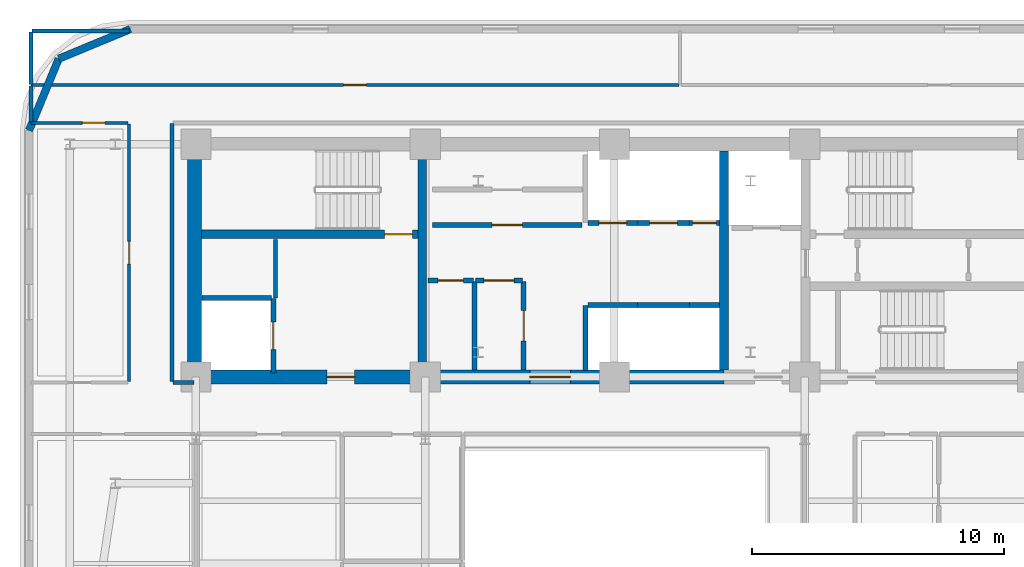
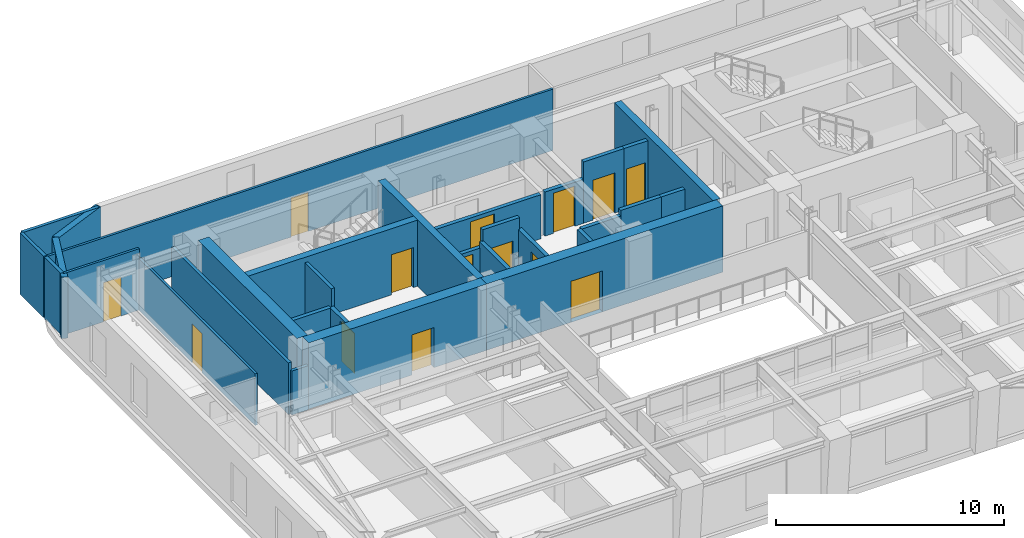
# One storey, part 7 of 12: 31 walls, 14 doors, 14 openings.
"""IFC4 building model written with IfcOpenShell, lengths in metres."""

from ifc_helpers import new_model, si_unit, direction, frame, frame_2d, origin, place, context, subcontext, project, spatial, rectangle, extrude, material, layer, layer_set, type_object, element, fill, save


model = new_model("IFC4")

# Units and contexts
model_context = context("Model", 3, precision=1e-05, world=origin(), true_north=direction((0.0, 1.0)))
body_context = subcontext(model_context, "Body", "Model", "MODEL_VIEW")
ifc_project = project(units=[si_unit("LENGTHUNIT", "METRE"), si_unit("AREAUNIT", "SQUARE_METRE"), si_unit("VOLUMEUNIT", "CUBIC_METRE"), si_unit("PLANEANGLEUNIT", "RADIAN"), si_unit("MASSUNIT", "GRAM", prefix="KILO")], contexts=[model_context])

# Site, building, storey
site_placement = place(None, origin())
site = spatial("IfcSite", under=ifc_project, at=site_placement, CompositionType="ELEMENT")
building_placement = place(site_placement, origin())
building = spatial("IfcBuilding", under=site, at=building_placement, Name="Zarnavel Station Tower", CompositionType="ELEMENT")
storey_placement = place(building_placement, frame((0.0, 0.0, 173.199951171875)))
storey = spatial("IfcBuildingStorey", under=building, at=storey_placement, Name="L47", CompositionType="ELEMENT", Elevation=173.199951171875)

# Walls
ifc_material_1 = material(Name="Concrete C50/60", Category="concrete")
ifc_layer_1 = layer(ifc_material_1, 0.35009765625)
ifc_layer_set_1 = layer_set([ifc_layer_1], Name="CW_350")
wall_type_1 = type_object("IfcWallType", Name="CW_350", PredefinedType="SHEAR", material=ifc_layer_set_1)
for number, where, z_axis, x_axis, name in (
    (1, (21.179931640625, 28.094970703125, 0.0), (0.0, 0.0, 1.0), (0.0, 1.0, 0.0), "L47 Rear Core Shear Wall DIV-W"),
    (2, (33.14990234375, 28.094970703125, 0.0), (0.0, 0.0, 1.0), (0.0, 1.0, 0.0), "L47 Rear Core Shear Wall DIV-E"),
):
    element("IfcWall", number, at=place(storey_placement, frame(where, z_axis=z_axis, x_axis=x_axis)), inside=storey, type_object=wall_type_1, Name=name, PredefinedType="SHEAR", context=body_context, shape_type="SweptSolid", body=[
        extrude(rectangle(XDim=8.679931640625, YDim=0.35009765625, at=frame_2d((4.33984375, 0.0))), origin(), (0.0, 0.0, 1.0), 3.550048828125),
    ])

# Wall, opening, door
wall_1_placement = place(storey_placement, frame((21.0048828125, 33.47998046875, 0.0), z_axis=(0.0, 0.0, 1.0), x_axis=(-1.0, 0.0, 0.0)))
wall_1 = element("IfcWall", 3, at=wall_1_placement, inside=storey, type_object=wall_type_1, Name="L47 Rear Core Shear Wall DIV-H1", PredefinedType="SHEAR", context=body_context, shape_type="SweptSolid", body=[
    extrude(rectangle(XDim=8.579833984375, YDim=0.35009765625, at=frame_2d((4.2900390625, 0.0))), origin(), (0.0, 0.0, 1.0), 3.550048828125),
])
opening_1_placement = place(wall_1_placement, frame((0.219970703125, 0.0, 0.0)))
opening_1 = element("IfcOpeningElement", 4, at=opening_1_placement, cuts=wall_1, Name="Opening FD01", PredefinedType="OPENING", context=body_context, shape_type="SweptSolid", body=[
    extrude(rectangle(XDim=1.10009765625, YDim=2.14990234375, at=frame_2d((0.550048828125, 1.074951171875))), frame((0.0, 0.18505859375, 0.0), z_axis=(0.0, -1.0, 0.0), x_axis=(1.0, 0.0, 0.0)), (0.0, 0.0, 1.0), 0.3701171875),
])
ifc_material_2 = material(Name="Painted Galvanised Steel and Hardwood Leaf", Category="steel")
door_type_1 = type_object("IfcDoorType", Name="ID_STAIR_1100", OperationType="NOTDEFINED", PredefinedType="DOOR", material=ifc_material_2)
door_1_placement = place(opening_1_placement, origin())
door_1 = element("IfcDoor", 5, at=door_1_placement, inside=storey, type_object=door_type_1, Name="L47 Stair ST1 Lobby Fire Door", OperationType="SINGLE_SWING_LEFT", OverallHeight=2.14990234375, OverallWidth=1.10009765625, PredefinedType="DOOR", context=body_context, shape_type="SweptSolid", body=[
    extrude(rectangle(XDim=1.10009765625, YDim=2.14990234375, at=frame_2d((0.550048828125, 1.074951171875))), frame((0.0, 0.02490234375, 0.0), z_axis=(0.0, -1.0, 0.0), x_axis=(1.0, 0.0, 0.0)), (0.0, 0.0, 1.0), 0.050048828125),
])
fill(opening_1, door_1)

ifc_material_3 = material(Name="Concrete C50/60", Category="concrete")
ifc_layer_2 = layer(ifc_material_3, 0.550048828125)
ifc_layer_set_2 = layer_set([ifc_layer_2], Name="CW_550")
wall_type_2 = type_object("IfcWallType", Name="CW_550", PredefinedType="SHEAR", material=ifc_layer_set_2)
wall_2_placement = place(storey_placement, frame((21.179931640625, 27.820068359375, 0.0), z_axis=(0.0, 0.0, 1.0), x_axis=(-1.0, 0.0, 0.0)))
wall_2 = element("IfcWall", 6, at=wall_2_placement, inside=storey, type_object=wall_type_2, Name="L47 Rear Core Shear Wall S-W", PredefinedType="SHEAR", context=body_context, shape_type="SweptSolid", body=[
    extrude(rectangle(XDim=9.030029296875, YDim=0.550048828125, at=frame_2d((4.51513671875, 0.0))), origin(), (0.0, 0.0, 1.0), 3.550048828125),
])
opening_2_placement = place(wall_2_placement, frame((2.679931640625, 0.0, 0.0)))
opening_2 = element("IfcOpeningElement", 7, at=opening_2_placement, cuts=wall_2, Name="Opening FD01", PredefinedType="OPENING", context=body_context, shape_type="SweptSolid", body=[
    extrude(rectangle(XDim=1.10009765625, YDim=2.14990234375, at=frame_2d((0.550048828125, 1.074951171875))), frame((0.0, 0.284912109375, 0.0), z_axis=(0.0, -1.0, 0.0), x_axis=(1.0, 0.0, 0.0)), (0.0, 0.0, 1.0), 0.570068359375),
])
door_2_placement = place(opening_2_placement, origin())
door_2 = element("IfcDoor", 8, at=door_2_placement, inside=storey, type_object=door_type_1, Name="L47 West Firefighting Lobby Door", OperationType="SINGLE_SWING_RIGHT", OverallHeight=2.14990234375, OverallWidth=1.10009765625, PredefinedType="DOOR", context=body_context, shape_type="SweptSolid", body=[
    extrude(rectangle(XDim=1.10009765625, YDim=2.14990234375, at=frame_2d((0.550048828125, 1.074951171875))), frame((0.0, 0.02490234375, 0.0), z_axis=(0.0, -1.0, 0.0), x_axis=(1.0, 0.0, 0.0)), (0.0, 0.0, 1.0), 0.050048828125),
])
fill(opening_2, door_2)

wall_3_placement = place(storey_placement, frame((33.14990234375, 27.820068359375, 0.0), z_axis=(0.0, 0.0, 1.0), x_axis=(-1.0, 0.0, 0.0)))
wall_3 = element("IfcWall", 9, at=wall_3_placement, inside=storey, type_object=wall_type_2, Name="L47 Rear Core Shear Wall S-M", PredefinedType="SHEAR", context=body_context, shape_type="SweptSolid", body=[
    extrude(rectangle(XDim=11.969970703125, YDim=0.550048828125, at=frame_2d((5.98486328125, 0.0))), origin(), (0.0, 0.0, 1.0), 3.550048828125),
])
opening_3_placement = place(wall_3_placement, frame((6.10009765625, 0.0, 0.0)))
opening_3 = element("IfcOpeningElement", 10, at=opening_3_placement, cuts=wall_3, Name="Opening ID03", PredefinedType="OPENING", context=body_context, shape_type="SweptSolid", body=[
    extrude(rectangle(XDim=1.60009765625, YDim=2.199951171875, at=frame_2d((0.800048828125, 1.10009765625))), frame((0.0, 0.284912109375, 0.0), z_axis=(0.0, -1.0, 0.0), x_axis=(1.0, 0.0, 0.0)), (0.0, 0.0, 1.0), 0.570068359375),
])
ifc_material_4 = material(Name="Painted Galvanised Steel and Hardwood Leaf", Category="steel")
door_type_2 = type_object("IfcDoorType", Name="ID_PUBLIC_1600", OperationType="DOUBLE_DOOR_SINGLE_SWING", PredefinedType="DOOR", material=ifc_material_4)
door_3_placement = place(opening_3_placement, origin())
door_3 = element("IfcDoor", 11, at=door_3_placement, inside=storey, type_object=door_type_2, Name="L47 Passenger Lift Lobby Double Door", OperationType="SINGLE_SWING_LEFT", OverallHeight=2.199951171875, OverallWidth=1.60009765625, PredefinedType="DOOR", context=body_context, shape_type="SweptSolid", body=[
    extrude(rectangle(XDim=1.60009765625, YDim=2.199951171875, at=frame_2d((0.800048828125, 1.10009765625))), frame((0.0, 0.02490234375, 0.0), z_axis=(0.0, -1.0, 0.0), x_axis=(1.0, 0.0, 0.0)), (0.0, 0.0, 1.0), 0.050048828125),
])
fill(opening_3, door_3)

# Walls
wall_4_placement = place(storey_placement, frame((12.14990234375, 28.094970703125, 0.0), z_axis=(0.0, 0.0, 1.0), x_axis=(0.0, 1.0, 0.0)))
element("IfcWall", 12, at=wall_4_placement, inside=storey, type_object=wall_type_2, Name="L47 Rear Core Shear Wall W", PredefinedType="SHEAR", context=body_context, shape_type="SweptSolid", body=[
    extrude(rectangle(XDim=8.679931640625, YDim=0.550048828125, at=frame_2d((4.33984375, 0.0))), origin(), (0.0, 0.0, 1.0), 3.550048828125),
])
ifc_material_5 = material(Name="Precast concrete C45/55 (Dark Basalt Finish)", Category="masonry")
ifc_layer_3 = layer(ifc_material_5, 0.300048828125)
ifc_layer_set_3 = layer_set([ifc_layer_3], Name="EW_BASALT_300")
wall_type_3 = type_object("IfcWallType", Name="EW_BASALT_300", PredefinedType="SOLIDWALL", material=ifc_layer_set_3)
wall_5_placement = place(storey_placement, frame((6.75732421875, 40.442626953125, 0.0), z_axis=(0.0, 0.0, 1.0), x_axis=(0.923882414032, 0.382676475685, 0.0)))
element("IfcWall", 13, at=wall_5_placement, inside=storey, type_object=wall_type_3, Name="L47 Exterior Basalt Masonry Frame Wall 07", PredefinedType="SOLIDWALL", context=body_context, shape_type="SweptSolid", body=[
    extrude(rectangle(XDim=3.076904296875, YDim=0.300048828125, at=frame_2d((1.53857421875, 0.0))), origin(), (0.0, 0.0, 1.0), 3.2900390625),
])
wall_6_placement = place(storey_placement, frame((5.580078125, 37.60009765625, 0.0), z_axis=(0.0, 0.0, 1.0), x_axis=(0.382636798336, 0.92389884758, 0.0)))
element("IfcWall", 14, at=wall_6_placement, inside=storey, type_object=wall_type_3, Name="L47 Exterior Basalt Masonry Frame Wall 08", PredefinedType="SOLIDWALL", context=body_context, shape_type="SweptSolid", body=[
    extrude(rectangle(XDim=3.07666015625, YDim=0.300048828125, at=frame_2d((1.538330078125, 0.0))), origin(), (0.0, 0.0, 1.0), 3.2900390625),
])
ifc_material_6 = material(Name="Gypsum Twin-Stud Acoustic Fire Partition", Category="concrete")
ifc_layer_4 = layer(ifc_material_6, 0.159912109375)
ifc_layer_set_4 = layer_set([ifc_layer_4], Name="PT_DEMISE_160")
wall_type_4 = type_object("IfcWallType", Name="PT_DEMISE_160", PredefinedType="PARTITIONING", material=ifc_layer_set_4)
wall_7_placement = place(storey_placement, frame((15.35009765625, 30.9599609375, 0.0), z_axis=(0.0, 0.0, 1.0), x_axis=(0.0, 1.0, 0.0)))
element("IfcWall", 15, at=wall_7_placement, inside=storey, type_object=wall_type_4, Name="L47 Enclosure Wall FFL1", PredefinedType="PARTITIONING", context=body_context, shape_type="SweptSolid", body=[
    extrude(rectangle(XDim=2.31005859375, YDim=0.159912109375, at=frame_2d((1.155029296875, 0.0))), origin(), (0.0, 0.0, 1.0), 3.2900390625),
])
wall_8_placement = place(storey_placement, frame((11.280029296875, 27.60009765625, 0.0), z_axis=(0.0, 0.0, 1.0), x_axis=(1.0, 0.0, 0.0)))
element("IfcWall", 16, at=wall_8_placement, inside=storey, type_object=wall_type_4, Name="L47 Enclosure Wall COR-S", PredefinedType="PARTITIONING", context=body_context, shape_type="SweptSolid", body=[
    extrude(rectangle(XDim=0.840087890625, YDim=0.159912109375, at=frame_2d((0.419921875, 0.0))), origin(), (0.0, 0.0, 1.0), 2.360107421875),
])
wall_9_placement = place(storey_placement, frame((11.25, 27.6298828125, 0.0), z_axis=(0.0, 0.0, 1.0), x_axis=(0.0, 1.0, 0.0)))
element("IfcWall", 17, at=wall_9_placement, inside=storey, type_object=wall_type_4, Name="L47 Enclosure Wall COR-W", PredefinedType="PARTITIONING", context=body_context, shape_type="SweptSolid", body=[
    extrude(rectangle(XDim=10.240234375, YDim=0.159912109375, at=frame_2d((5.1201171875, 0.0))), origin(), (0.0, 0.0, 1.0), 2.77001953125),
])
wall_10_placement = place(storey_placement, frame((5.659912109375, 37.929931640625, 0.0), z_axis=(0.0, 0.0, 1.0), x_axis=(0.0, 1.0, 0.0)))
element("IfcWall", 18, at=wall_10_placement, inside=storey, type_object=wall_type_4, Name="L47 Enclosure Wall COR-N", PredefinedType="PARTITIONING", context=body_context, shape_type="SweptSolid", body=[
    extrude(rectangle(XDim=1.440185546875, YDim=0.159912109375, at=frame_2d((0.72021484375, 0.0))), origin(), (0.0, 0.0, 1.0), 3.2900390625),
])
wall_11_placement = place(storey_placement, frame((5.68994140625, 41.5400390625, 0.0), z_axis=(0.0, 0.0, 1.0), x_axis=(1.0, 0.0, 0.0)))
element("IfcWall", 19, at=wall_11_placement, inside=storey, type_object=wall_type_4, Name="L47 Enclosure Wall NGYM", PredefinedType="PARTITIONING", context=body_context, shape_type="SweptSolid", body=[
    extrude(rectangle(XDim=3.880126953125, YDim=0.159912109375, at=frame_2d((1.93994140625, 0.0))), origin(), (0.0, 0.0, 1.0), 3.2900390625),
])
wall_12_placement = place(storey_placement, frame((5.659912109375, 39.429931640625, 0.0), z_axis=(0.0, 0.0, 1.0), x_axis=(0.0, 1.0, 0.0)))
element("IfcWall", 20, at=wall_12_placement, inside=storey, type_object=wall_type_4, Name="L47 Enclosure Wall NGYM", PredefinedType="PARTITIONING", context=body_context, shape_type="SweptSolid", body=[
    extrude(rectangle(XDim=2.080078125, YDim=0.159912109375, at=frame_2d((1.0400390625, 0.0))), origin(), (0.0, 0.0, 1.0), 3.2900390625),
])

# Wall, opening, door
ifc_material_7 = material(Name="Gypsum Metal-Stud Interior Partition", Category="concrete")
ifc_layer_5 = layer(ifc_material_7, 0.1201171875)
ifc_layer_set_5 = layer_set([ifc_layer_5], Name="PT_ROOM_120")
wall_type_5 = type_object("IfcWallType", Name="PT_ROOM_120", PredefinedType="PARTITIONING", material=ifc_layer_set_5)
wall_13_placement = place(storey_placement, frame((9.550048828125, 27.639892578125, 0.0), z_axis=(0.0, 0.0, 1.0), x_axis=(0.0, 1.0, 0.0)))
wall_13 = element("IfcWall", 21, at=wall_13_placement, inside=storey, type_object=wall_type_5, Name="L47 Partition COR-W-FNW", PredefinedType="PARTITIONING", context=body_context, shape_type="SweptSolid", body=[
    extrude(rectangle(XDim=10.22021484375, YDim=0.1201171875, at=frame_2d((5.110107421875, 0.0))), origin(), (0.0, 0.0, 1.0), 2.77001953125),
])
opening_4_placement = place(wall_13_placement, frame((4.659912109375, 0.0, 0.0)))
opening_4 = element("IfcOpeningElement", 22, at=opening_4_placement, cuts=wall_13, Name="Opening ID01", PredefinedType="OPENING", context=body_context, shape_type="SweptSolid", body=[
    extrude(rectangle(XDim=0.89990234375, YDim=2.10009765625, at=frame_2d((0.449951171875, 1.050048828125))), frame((0.0, 0.070068359375, 0.0), z_axis=(0.0, -1.0, 0.0), x_axis=(1.0, 0.0, 0.0)), (0.0, 0.0, 1.0), 0.14013671875),
])
ifc_material_8 = material(Name="Painted Galvanised Steel and Hardwood Leaf", Category="steel")
door_type_3 = type_object("IfcDoorType", Name="ID_ROOM_900", OperationType="NOTDEFINED", PredefinedType="DOOR", material=ifc_material_8)
door_4_placement = place(opening_4_placement, origin())
door_4 = element("IfcDoor", 23, at=door_4_placement, inside=storey, type_object=door_type_3, Name="L47 Door COR-W-FNW", OperationType="SINGLE_SWING_LEFT", OverallHeight=2.10009765625, OverallWidth=0.89990234375, PredefinedType="DOOR", context=body_context, shape_type="SweptSolid", body=[
    extrude(rectangle(XDim=0.89990234375, YDim=2.10009765625, at=frame_2d((0.449951171875, 1.050048828125))), frame((0.0, 0.02490234375, 0.0), z_axis=(0.0, -1.0, 0.0), x_axis=(1.0, 0.0, 0.0)), (0.0, 0.0, 1.0), 0.050048828125),
])
fill(opening_4, door_4)

wall_14_placement = place(storey_placement, frame((5.659912109375, 37.89990234375, 0.0), z_axis=(0.0, 0.0, 1.0), x_axis=(1.0, 0.0, 0.0)))
wall_14 = element("IfcWall", 24, at=wall_14_placement, inside=storey, type_object=wall_type_5, Name="L47 Partition COR-N-FNW", PredefinedType="PARTITIONING", context=body_context, shape_type="SweptSolid", body=[
    extrude(rectangle(XDim=3.85009765625, YDim=0.1201171875, at=frame_2d((1.925048828125, 0.0))), origin(), (0.0, 0.0, 1.0), 3.2900390625),
])
opening_5_placement = place(wall_14_placement, frame((2.03125, 0.0, 0.0)))
opening_5 = element("IfcOpeningElement", 25, at=opening_5_placement, cuts=wall_14, Name="Opening ID01", PredefinedType="OPENING", context=body_context, shape_type="SweptSolid", body=[
    extrude(rectangle(XDim=0.89990234375, YDim=2.10009765625, at=frame_2d((0.449951171875, 1.050048828125))), frame((0.0, 0.070068359375, 0.0), z_axis=(0.0, -1.0, 0.0), x_axis=(1.0, 0.0, 0.0)), (0.0, 0.0, 1.0), 0.14013671875),
])
door_5_placement = place(opening_5_placement, origin())
door_5 = element("IfcDoor", 26, at=door_5_placement, inside=storey, type_object=door_type_3, Name="L47 Door COR-N-FNW", OperationType="SINGLE_SWING_LEFT", OverallHeight=2.10009765625, OverallWidth=0.89990234375, PredefinedType="DOOR", context=body_context, shape_type="SweptSolid", body=[
    extrude(rectangle(XDim=0.89990234375, YDim=2.10009765625, at=frame_2d((0.449951171875, 1.050048828125))), frame((0.0, 0.02490234375, 0.0), z_axis=(0.0, -1.0, 0.0), x_axis=(1.0, 0.0, 0.0)), (0.0, 0.0, 1.0), 0.050048828125),
])
fill(opening_5, door_5)

wall_15_placement = place(storey_placement, frame((5.659912109375, 39.39990234375, 0.0), z_axis=(0.0, 0.0, 1.0), x_axis=(1.0, 0.0, 0.0)))
wall_15 = element("IfcWall", 27, at=wall_15_placement, inside=storey, type_object=wall_type_5, Name="L47 Partition COR-N-NGYM", PredefinedType="PARTITIONING", context=body_context, shape_type="SweptSolid", body=[
    extrude(rectangle(XDim=25.7001953125, YDim=0.1201171875, at=frame_2d((12.85009765625, 0.0))), origin(), (0.0, 0.0, 1.0), 3.2900390625),
])
opening_6_placement = place(wall_15_placement, frame((12.39990234375, 0.0, 0.0)))
opening_6 = element("IfcOpeningElement", 28, at=opening_6_placement, cuts=wall_15, Name="Opening ID01", PredefinedType="OPENING", context=body_context, shape_type="SweptSolid", body=[
    extrude(rectangle(XDim=0.89990234375, YDim=2.10009765625, at=frame_2d((0.449951171875, 1.050048828125))), frame((0.0, 0.070068359375, 0.0), z_axis=(0.0, -1.0, 0.0), x_axis=(1.0, 0.0, 0.0)), (0.0, 0.0, 1.0), 0.14013671875),
])
door_6_placement = place(opening_6_placement, origin())
door_6 = element("IfcDoor", 29, at=door_6_placement, inside=storey, type_object=door_type_3, Name="L47 Door COR-N-NGYM", OperationType="SINGLE_SWING_LEFT", OverallHeight=2.10009765625, OverallWidth=0.89990234375, PredefinedType="DOOR", context=body_context, shape_type="SweptSolid", body=[
    extrude(rectangle(XDim=0.89990234375, YDim=2.10009765625, at=frame_2d((0.449951171875, 1.050048828125))), frame((0.0, 0.02490234375, 0.0), z_axis=(0.0, -1.0, 0.0), x_axis=(1.0, 0.0, 0.0)), (0.0, 0.0, 1.0), 0.050048828125),
])
fill(opening_6, door_6)

ifc_material_9 = material(Name="Precast concrete C45/55 (Fire Shaft Blockwork)", Category="masonry")
ifc_layer_6 = layer(ifc_material_9, 0.199951171875)
ifc_layer_set_6 = layer_set([ifc_layer_6], Name="PT_SHAFT_200")
wall_type_6 = type_object("IfcWallType", Name="PT_SHAFT_200", PredefinedType="PARTITIONING", material=ifc_layer_set_6)
wall_16_placement = place(storey_placement, frame((15.27001953125, 27.969970703125, 0.0), z_axis=(0.0, 0.0, 1.0), x_axis=(0.0, 1.0, 0.0)))
wall_16 = element("IfcWall", 30, at=wall_16_placement, inside=storey, type_object=wall_type_6, Name="L47 Lift FFL-01 Shaft Front Wall", PredefinedType="PARTITIONING", context=body_context, shape_type="SweptSolid", body=[
    extrude(rectangle(XDim=2.9599609375, YDim=0.199951171875, at=frame_2d((1.47998046875, 0.0))), origin(), (0.0, 0.0, 1.0), 2.360107421875),
])
opening_7_placement = place(wall_16_placement, frame((0.929931640625, 0.0, 0.0)))
opening_7 = element("IfcOpeningElement", 31, at=opening_7_placement, cuts=wall_16, Name="Opening LD01", PredefinedType="OPENING", context=body_context, shape_type="SweptSolid", body=[
    extrude(rectangle(XDim=1.10009765625, YDim=2.14990234375, at=frame_2d((0.550048828125, 1.074951171875))), frame((0.0, 0.10986328125, 0.0), z_axis=(0.0, -1.0, 0.0), x_axis=(1.0, 0.0, 0.0)), (0.0, 0.0, 1.0), 0.219970703125),
])
ifc_material_10 = material(Name="Painted Galvanised Steel and Hardwood Leaf", Category="steel")
door_type_4 = type_object("IfcDoorType", Name="LD_FF_1100", OperationType="DOUBLE_DOOR_SLIDING", PredefinedType="DOOR", material=ifc_material_10)
door_7_placement = place(opening_7_placement, origin())
door_7 = element("IfcDoor", 32, at=door_7_placement, inside=storey, type_object=door_type_4, Name="L47 Lift FFL-01 Sliding Landing Door", OperationType="DOUBLE_DOOR_SLIDING", OverallHeight=2.14990234375, OverallWidth=1.10009765625, PredefinedType="DOOR", context=body_context, shape_type="SweptSolid", body=[
    extrude(rectangle(XDim=1.10009765625, YDim=2.14990234375, at=frame_2d((0.550048828125, 1.074951171875))), frame((0.0, 0.02490234375, 0.0), z_axis=(0.0, -1.0, 0.0), x_axis=(1.0, 0.0, 0.0)), (0.0, 0.0, 1.0), 0.050048828125),
])
fill(opening_7, door_7)

# Walls
wall_17_placement = place(storey_placement, frame((12.449951171875, 30.949951171875, 0.0), z_axis=(0.0, 0.0, 1.0), x_axis=(1.0, 0.0, 0.0)))
element("IfcWall", 33, at=wall_17_placement, inside=storey, type_object=wall_type_6, Name="L47 Lift FFL-01 North Shaft Wall", PredefinedType="PARTITIONING", context=body_context, shape_type="SweptSolid", body=[
    extrude(rectangle(XDim=2.75, YDim=0.199951171875, at=frame_2d((1.375, 0.0))), origin(), (0.0, 0.0, 1.0), 2.360107421875),
])
wall_18_placement = place(storey_placement, frame((27.75, 30.669921875, 0.0), z_axis=(0.0, 0.0, 1.0), x_axis=(1.0, 0.0, 0.0)))
element("IfcWall", 34, at=wall_18_placement, inside=storey, type_object=wall_type_6, Name="L47 Lift PL-H1 Shaft Front Wall", PredefinedType="PARTITIONING", context=body_context, shape_type="SweptSolid", body=[
    extrude(rectangle(XDim=1.97509765625, YDim=0.199951171875, at=frame_2d((0.987548828125, 0.0))), origin(), (0.0, 0.0, 1.0), 2.360107421875),
])
wall_19_placement = place(storey_placement, frame((27.64990234375, 28.070068359375, 0.0), z_axis=(0.0, 0.0, 1.0), x_axis=(0.0, 1.0, 0.0)))
element("IfcWall", 35, at=wall_19_placement, inside=storey, type_object=wall_type_6, Name="L47 High-Rise Lift Bank West Shaft Wall", PredefinedType="PARTITIONING", context=body_context, shape_type="SweptSolid", body=[
    extrude(rectangle(XDim=2.579833984375, YDim=0.199951171875, at=frame_2d((1.2900390625, 0.0))), origin(), (0.0, 0.0, 1.0), 2.360107421875),
])
wall_20_placement = place(storey_placement, frame((29.72509765625, 30.669921875, 0.0), z_axis=(0.0, 0.0, 1.0), x_axis=(1.0, 0.0, 0.0)))
element("IfcWall", 36, at=wall_20_placement, inside=storey, type_object=wall_type_6, Name="L47 Lift PL-H2 Shaft Front Wall", PredefinedType="PARTITIONING", context=body_context, shape_type="SweptSolid", body=[
    extrude(rectangle(XDim=2.0498046875, YDim=0.199951171875, at=frame_2d((1.02490234375, 0.0))), origin(), (0.0, 0.0, 1.0), 2.670166015625),
])
wall_21_placement = place(storey_placement, frame((31.77490234375, 30.669921875, 0.0), z_axis=(0.0, 0.0, 1.0), x_axis=(1.0, 0.0, 0.0)))
element("IfcWall", 37, at=wall_21_placement, inside=storey, type_object=wall_type_6, Name="L47 Lift PL-H3 Shaft Front Wall", PredefinedType="PARTITIONING", context=body_context, shape_type="SweptSolid", body=[
    extrude(rectangle(XDim=1.2001953125, YDim=0.199951171875, at=frame_2d((0.60009765625, 0.0))), origin(), (0.0, 0.0, 1.0), 2.670166015625),
])

# Wall, opening, door
wall_22_placement = place(storey_placement, frame((27.75, 33.929931640625, 0.0), z_axis=(0.0, 0.0, 1.0), x_axis=(1.0, 0.0, 0.0)))
wall_22 = element("IfcWall", 38, at=wall_22_placement, inside=storey, type_object=wall_type_6, Name="L47 Lift PL-M1 Shaft Front Wall", PredefinedType="PARTITIONING", context=body_context, shape_type="SweptSolid", body=[
    extrude(rectangle(XDim=1.97509765625, YDim=0.199951171875, at=frame_2d((0.987548828125, 0.0))), origin(), (0.0, 0.0, 1.0), 2.360107421875),
])
opening_8_placement = place(wall_22_placement, frame((0.4375, 0.0, 0.0)))
opening_8 = element("IfcOpeningElement", 39, at=opening_8_placement, cuts=wall_22, Name="Opening LD02", PredefinedType="OPENING", context=body_context, shape_type="SweptSolid", body=[
    extrude(rectangle(XDim=1.10009765625, YDim=2.14990234375, at=frame_2d((0.550048828125, 1.074951171875))), frame((0.0, 0.10986328125, 0.0), z_axis=(0.0, -1.0, 0.0), x_axis=(1.0, 0.0, 0.0)), (0.0, 0.0, 1.0), 0.219970703125),
])
ifc_material_11 = material(Name="Painted Galvanised Steel and Hardwood Leaf", Category="steel")
door_type_5 = type_object("IfcDoorType", Name="LD_PAX_1100", OperationType="DOUBLE_DOOR_SLIDING", PredefinedType="DOOR", material=ifc_material_11)
door_8_placement = place(opening_8_placement, origin())
door_8 = element("IfcDoor", 40, at=door_8_placement, inside=storey, type_object=door_type_5, Name="L47 Lift PL-M1 Sliding Landing Door", OperationType="DOUBLE_DOOR_SLIDING", OverallHeight=2.14990234375, OverallWidth=1.10009765625, PredefinedType="DOOR", context=body_context, shape_type="SweptSolid", body=[
    extrude(rectangle(XDim=1.10009765625, YDim=2.14990234375, at=frame_2d((0.550048828125, 1.074951171875))), frame((0.0, 0.02490234375, 0.0), z_axis=(0.0, -1.0, 0.0), x_axis=(1.0, 0.0, 0.0)), (0.0, 0.0, 1.0), 0.050048828125),
])
fill(opening_8, door_8)

wall_23_placement = place(storey_placement, frame((29.72509765625, 33.929931640625, 0.0), z_axis=(0.0, 0.0, 1.0), x_axis=(1.0, 0.0, 0.0)))
wall_23 = element("IfcWall", 41, at=wall_23_placement, inside=storey, type_object=wall_type_6, Name="L47 Lift PL-M2 Shaft Front Wall", PredefinedType="PARTITIONING", context=body_context, shape_type="SweptSolid", body=[
    extrude(rectangle(XDim=2.0498046875, YDim=0.199951171875, at=frame_2d((1.02490234375, 0.0))), origin(), (0.0, 0.0, 1.0), 3.2900390625),
])
opening_9_placement = place(wall_23_placement, frame((0.47509765625, 0.0, 0.0)))
opening_9 = element("IfcOpeningElement", 42, at=opening_9_placement, cuts=wall_23, Name="Opening LD02", PredefinedType="OPENING", context=body_context, shape_type="SweptSolid", body=[
    extrude(rectangle(XDim=1.10009765625, YDim=2.14990234375, at=frame_2d((0.550048828125, 1.074951171875))), frame((0.0, 0.10986328125, 0.0), z_axis=(0.0, -1.0, 0.0), x_axis=(1.0, 0.0, 0.0)), (0.0, 0.0, 1.0), 0.219970703125),
])
door_9_placement = place(opening_9_placement, origin())
door_9 = element("IfcDoor", 43, at=door_9_placement, inside=storey, type_object=door_type_5, Name="L47 Lift PL-M2 Sliding Landing Door", OperationType="DOUBLE_DOOR_SLIDING", OverallHeight=2.14990234375, OverallWidth=1.10009765625, PredefinedType="DOOR", context=body_context, shape_type="SweptSolid", body=[
    extrude(rectangle(XDim=1.10009765625, YDim=2.14990234375, at=frame_2d((0.550048828125, 1.074951171875))), frame((0.0, 0.02490234375, 0.0), z_axis=(0.0, -1.0, 0.0), x_axis=(1.0, 0.0, 0.0)), (0.0, 0.0, 1.0), 0.050048828125),
])
fill(opening_9, door_9)

wall_24_placement = place(storey_placement, frame((31.77490234375, 33.929931640625, 0.0), z_axis=(0.0, 0.0, 1.0), x_axis=(1.0, 0.0, 0.0)))
wall_24 = element("IfcWall", 44, at=wall_24_placement, inside=storey, type_object=wall_type_6, Name="L47 Lift PL-M3 Shaft Front Wall", PredefinedType="PARTITIONING", context=body_context, shape_type="SweptSolid", body=[
    extrude(rectangle(XDim=1.2001953125, YDim=0.199951171875, at=frame_2d((0.60009765625, 0.0))), origin(), (0.0, 0.0, 1.0), 3.2900390625),
])
opening_10_placement = place(wall_24_placement, frame((0.125, 0.0, 0.0)))
opening_10 = element("IfcOpeningElement", 45, at=opening_10_placement, cuts=wall_24, Name="Opening LD03", PredefinedType="OPENING", context=body_context, shape_type="SweptSolid", body=[
    extrude(rectangle(XDim=0.949951171875, YDim=2.14990234375, at=frame_2d((0.47509765625, 1.074951171875))), frame((0.0, 0.10986328125, 0.0), z_axis=(0.0, -1.0, 0.0), x_axis=(1.0, 0.0, 0.0)), (0.0, 0.0, 1.0), 0.219970703125),
])
ifc_material_12 = material(Name="Painted Galvanised Steel and Hardwood Leaf", Category="steel")
door_type_6 = type_object("IfcDoorType", Name="LD_PAX_0950", OperationType="DOUBLE_DOOR_SLIDING", PredefinedType="DOOR", material=ifc_material_12)
door_10_placement = place(opening_10_placement, origin())
door_10 = element("IfcDoor", 46, at=door_10_placement, inside=storey, type_object=door_type_6, Name="L47 Lift PL-M3 Sliding Landing Door", OperationType="DOUBLE_DOOR_SLIDING", OverallHeight=2.14990234375, OverallWidth=0.949951171875, PredefinedType="DOOR", context=body_context, shape_type="SweptSolid", body=[
    extrude(rectangle(XDim=0.949951171875, YDim=2.14990234375, at=frame_2d((0.47509765625, 1.074951171875))), frame((0.0, 0.02490234375, 0.0), z_axis=(0.0, -1.0, 0.0), x_axis=(1.0, 0.0, 0.0)), (0.0, 0.0, 1.0), 0.050048828125),
])
fill(opening_10, door_10)

wall_25_placement = place(storey_placement, frame((21.39990234375, 31.64990234375, 0.0), z_axis=(0.0, 0.0, 1.0), x_axis=(1.0, 0.0, 0.0)))
wall_25 = element("IfcWall", 47, at=wall_25_placement, inside=storey, type_object=wall_type_6, Name="L47 Partition LLOB-CS1", PredefinedType="PARTITIONING", context=body_context, shape_type="SweptSolid", body=[
    extrude(rectangle(XDim=1.81005859375, YDim=0.199951171875, at=frame_2d((0.905029296875, 0.0))), origin(), (0.0, 0.0, 1.0), 2.360107421875),
])
opening_11_placement = place(wall_25_placement, frame((0.405029296875, 0.0, 0.0)))
opening_11 = element("IfcOpeningElement", 48, at=opening_11_placement, cuts=wall_25, Name="Opening FD02", PredefinedType="OPENING", context=body_context, shape_type="SweptSolid", body=[
    extrude(rectangle(XDim=1.0, YDim=2.14990234375, at=frame_2d((0.5, 1.074951171875))), frame((0.0, 0.10986328125, 0.0), z_axis=(0.0, -1.0, 0.0), x_axis=(1.0, 0.0, 0.0)), (0.0, 0.0, 1.0), 0.219970703125),
])
ifc_material_13 = material(Name="Painted Galvanised Steel and Hardwood Leaf", Category="steel")
door_type_7 = type_object("IfcDoorType", Name="ID_ENTRY_1000", OperationType="NOTDEFINED", PredefinedType="DOOR", material=ifc_material_13)
door_11_placement = place(opening_11_placement, origin())
door_11 = element("IfcDoor", 49, at=door_11_placement, inside=storey, type_object=door_type_7, Name="L47 Door LLOB-CS1", OperationType="SINGLE_SWING_LEFT", OverallHeight=2.14990234375, OverallWidth=1.0, PredefinedType="DOOR", context=body_context, shape_type="SweptSolid", body=[
    extrude(rectangle(XDim=1.0, YDim=2.14990234375, at=frame_2d((0.5, 1.074951171875))), frame((0.0, 0.02490234375, 0.0), z_axis=(0.0, -1.0, 0.0), x_axis=(1.0, 0.0, 0.0)), (0.0, 0.0, 1.0), 0.050048828125),
])
fill(opening_11, door_11)

wall_26_placement = place(storey_placement, frame((23.2900390625, 31.64990234375, 0.0), z_axis=(0.0, 0.0, 1.0), x_axis=(1.0, 0.0, 0.0)))
wall_26 = element("IfcWall", 50, at=wall_26_placement, inside=storey, type_object=wall_type_6, Name="L47 Partition LLOB-CS2", PredefinedType="PARTITIONING", context=body_context, shape_type="SweptSolid", body=[
    extrude(rectangle(XDim=1.869873046875, YDim=0.199951171875, at=frame_2d((0.93505859375, 0.0))), origin(), (0.0, 0.0, 1.0), 3.2900390625),
])
opening_12_placement = place(wall_26_placement, frame((0.3349609375, 0.0, 0.0)))
opening_12 = element("IfcOpeningElement", 51, at=opening_12_placement, cuts=wall_26, Name="Opening FD03", PredefinedType="OPENING", context=body_context, shape_type="SweptSolid", body=[
    extrude(rectangle(XDim=1.199951171875, YDim=2.14990234375, at=frame_2d((0.60009765625, 1.074951171875))), frame((0.0, 0.10986328125, 0.0), z_axis=(0.0, -1.0, 0.0), x_axis=(1.0, 0.0, 0.0)), (0.0, 0.0, 1.0), 0.219970703125),
])
ifc_material_14 = material(Name="Painted Galvanised Steel and Hardwood Leaf", Category="steel")
door_type_8 = type_object("IfcDoorType", Name="ID_PLANT_1200", OperationType="NOTDEFINED", PredefinedType="DOOR", material=ifc_material_14)
door_12_placement = place(opening_12_placement, origin())
door_12 = element("IfcDoor", 52, at=door_12_placement, inside=storey, type_object=door_type_8, Name="L47 Door LLOB-CS2", OperationType="SINGLE_SWING_RIGHT", OverallHeight=2.14990234375, OverallWidth=1.199951171875, PredefinedType="DOOR", context=body_context, shape_type="SweptSolid", body=[
    extrude(rectangle(XDim=1.199951171875, YDim=2.14990234375, at=frame_2d((0.60009765625, 1.074951171875))), frame((0.0, 0.02490234375, 0.0), z_axis=(0.0, -1.0, 0.0), x_axis=(1.0, 0.0, 0.0)), (0.0, 0.0, 1.0), 0.050048828125),
])
fill(opening_12, door_12)

wall_27_placement = place(storey_placement, frame((21.590087890625, 33.85009765625, 0.0), z_axis=(0.0, 0.0, 1.0), x_axis=(1.0, 0.0, 0.0)))
wall_27 = element("IfcWall", 53, at=wall_27_placement, inside=storey, type_object=wall_type_6, Name="L47 Partition LLOB-FB1A", PredefinedType="PARTITIONING", context=body_context, shape_type="SweptSolid", body=[
    extrude(rectangle(XDim=5.919921875, YDim=0.199951171875, at=frame_2d((2.9599609375, 0.0))), origin(), (0.0, 0.0, 1.0), 2.360107421875),
])
opening_13_placement = place(wall_27_placement, frame((2.360107421875, 0.0, 0.0)))
opening_13 = element("IfcOpeningElement", 54, at=opening_13_placement, cuts=wall_27, Name="Opening FD03", PredefinedType="OPENING", context=body_context, shape_type="SweptSolid", body=[
    extrude(rectangle(XDim=1.199951171875, YDim=2.14990234375, at=frame_2d((0.60009765625, 1.074951171875))), frame((0.0, 0.10986328125, 0.0), z_axis=(0.0, -1.0, 0.0), x_axis=(1.0, 0.0, 0.0)), (0.0, 0.0, 1.0), 0.219970703125),
])
door_13_placement = place(opening_13_placement, origin())
door_13 = element("IfcDoor", 55, at=door_13_placement, inside=storey, type_object=door_type_8, Name="L47 Door LLOB-FB1A", OperationType="SINGLE_SWING_LEFT", OverallHeight=2.14990234375, OverallWidth=1.199951171875, PredefinedType="DOOR", context=body_context, shape_type="SweptSolid", body=[
    extrude(rectangle(XDim=1.199951171875, YDim=2.14990234375, at=frame_2d((0.60009765625, 1.074951171875))), frame((0.0, 0.02490234375, 0.0), z_axis=(0.0, -1.0, 0.0), x_axis=(1.0, 0.0, 0.0)), (0.0, 0.0, 1.0), 0.050048828125),
])
fill(opening_13, door_13)

wall_28_placement = place(storey_placement, frame((25.199951171875, 28.090087890625, 0.0), z_axis=(0.0, 0.0, 1.0), x_axis=(0.0, 1.0, 0.0)))
wall_28 = element("IfcWall", 56, at=wall_28_placement, inside=storey, type_object=wall_type_6, Name="L47 Partition LLOBS-CS2", PredefinedType="PARTITIONING", context=body_context, shape_type="SweptSolid", body=[
    extrude(rectangle(XDim=3.52001953125, YDim=0.199951171875, at=frame_2d((1.760009765625, 0.0))), origin(), (0.0, 0.0, 1.0), 2.670166015625),
])
opening_14_placement = place(wall_28_placement, frame((1.159912109375, 0.0, 0.0)))
opening_14 = element("IfcOpeningElement", 57, at=opening_14_placement, cuts=wall_28, Name="Opening FD03", PredefinedType="OPENING", context=body_context, shape_type="SweptSolid", body=[
    extrude(rectangle(XDim=1.199951171875, YDim=2.14990234375, at=frame_2d((0.60009765625, 1.074951171875))), frame((0.0, 0.10986328125, 0.0), z_axis=(0.0, -1.0, 0.0), x_axis=(1.0, 0.0, 0.0)), (0.0, 0.0, 1.0), 0.219970703125),
])
door_14_placement = place(opening_14_placement, origin())
door_14 = element("IfcDoor", 58, at=door_14_placement, inside=storey, type_object=door_type_8, Name="L47 Door LLOBS-CS2", OperationType="SINGLE_SWING_RIGHT", OverallHeight=2.14990234375, OverallWidth=1.199951171875, PredefinedType="DOOR", context=body_context, shape_type="SweptSolid", body=[
    extrude(rectangle(XDim=1.199951171875, YDim=2.14990234375, at=frame_2d((0.60009765625, 1.074951171875))), frame((0.0, 0.02490234375, 0.0), z_axis=(0.0, -1.0, 0.0), x_axis=(1.0, 0.0, 0.0)), (0.0, 0.0, 1.0), 0.050048828125),
])
fill(opening_14, door_14)

# Wall
wall_29_placement = place(storey_placement, frame((23.25, 28.090087890625, 0.0), z_axis=(0.0, 0.0, 1.0), x_axis=(0.0, 1.0, 0.0)))
element("IfcWall", 59, at=wall_29_placement, inside=storey, type_object=wall_type_6, Name="L47 Partition CS1-CS2", PredefinedType="PARTITIONING", context=body_context, shape_type="SweptSolid", body=[
    extrude(rectangle(XDim=3.52001953125, YDim=0.199951171875, at=frame_2d((1.760009765625, 0.0))), origin(), (0.0, 0.0, 1.0), 2.670166015625),
])

save(model, "model.ifc")
